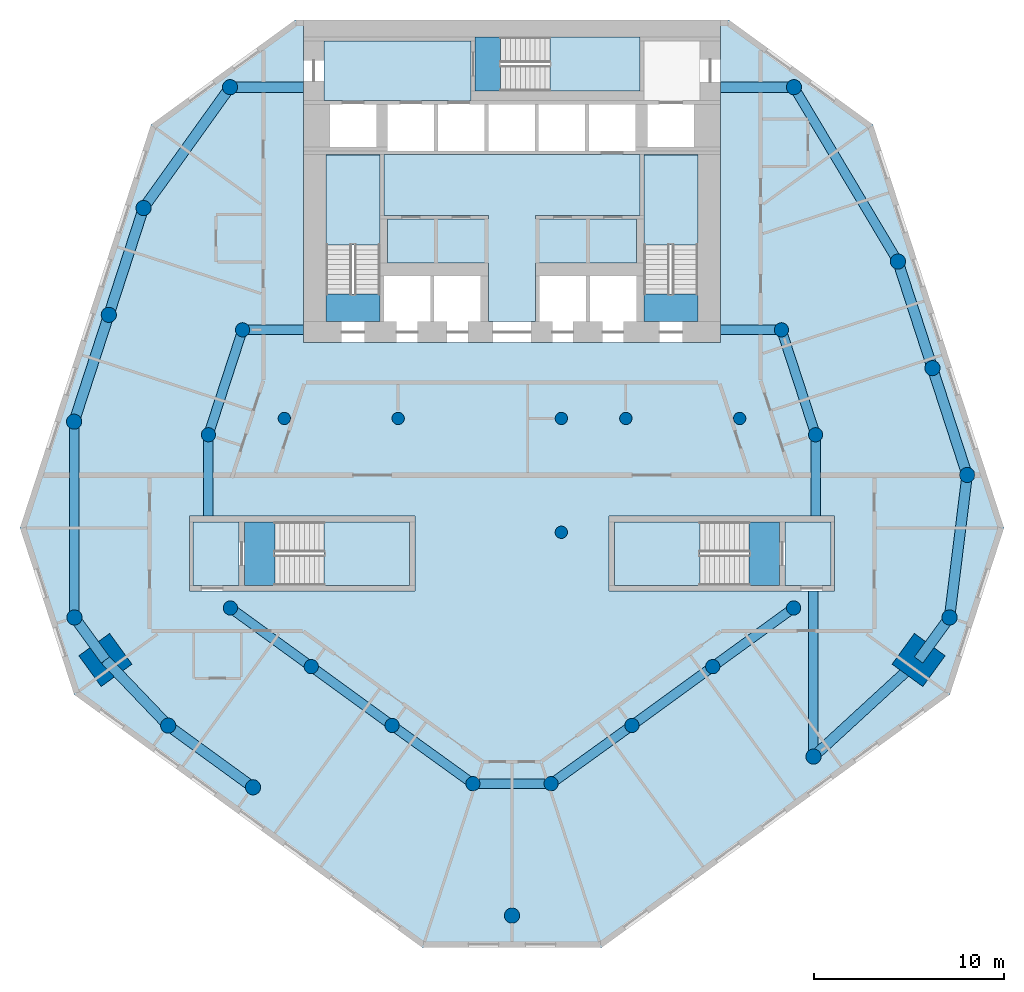
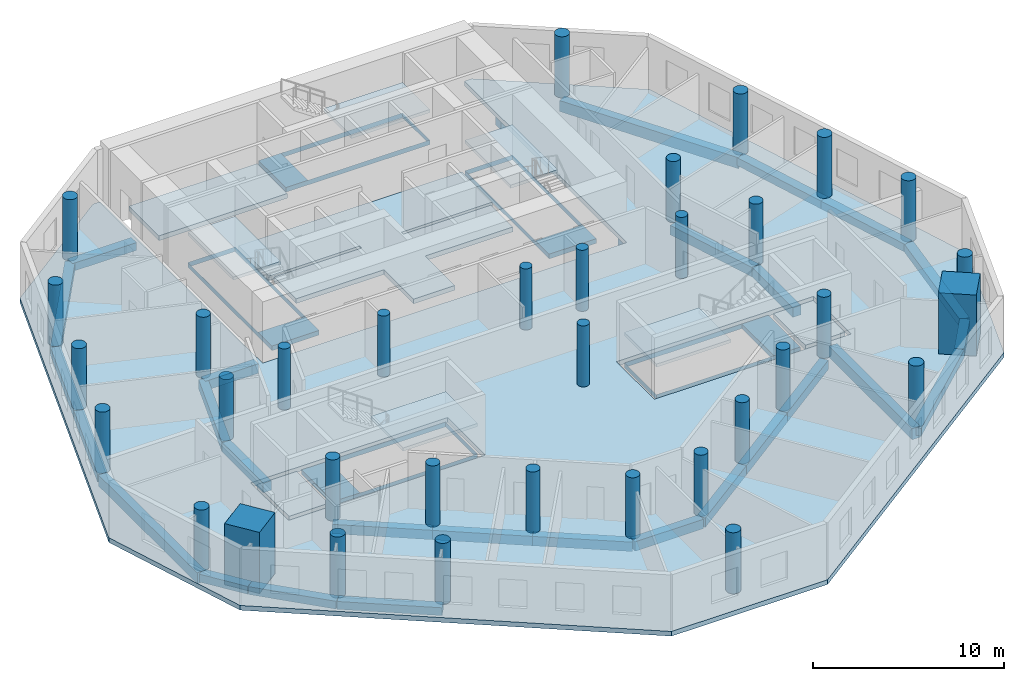
# One storey, part 1 of 9: 34 columns, 29 beams, 15 slabs, 5 elements without a shape of their own.
"""IFC4 building model written with IfcOpenShell, lengths in metres."""

import ifcopenshell
import ifcopenshell.guid

model = None  # the IFC model being written
_history = None  # IfcOwnerHistory: only IFC2X3 demands one
_inside = {}  # id of a spatial element -> (the spatial element, [elements in it])
_under = {}  # id of a project, library or spatial element -> (it, [spatial elements below it])
_declared = {}  # id of a project -> (the project, [libraries it declares])
_typed = {}  # id of a type object -> (the type object, [elements of that type])
_made_of = {}  # id of a material, layer set ... -> (it, [elements and type objects made of it])


def new_model(schema):
    """Start an empty IFC model of exactly this schema.

    Asked for "IFC4X3", IfcOpenShell would pick the latest addendum, in which some entities
    have other attributes; the version numbers below select the first issue.
    IFC2X3 requires an IfcOwnerHistory on every rooted entity: one is made here for all.
    """
    global model, _history
    if schema == "IFC4X3":
        model = ifcopenshell.file(schema_version=(4, 3, 0, 0))
    else:
        model = ifcopenshell.file(schema=schema)
    _inside.clear()
    _under.clear()
    _declared.clear()
    _typed.clear()
    _made_of.clear()
    _history = None
    if model.schema == "IFC2X3":
        org = make("IfcOrganization", Name="unknown")
        user = make(
            "IfcPersonAndOrganization",
            ThePerson=make("IfcPerson", FamilyName="unknown"),
            TheOrganization=org,
        )
        app = make(
            "IfcApplication",
            ApplicationDeveloper=org,
            Version="unknown",
            ApplicationFullName="unknown",
            ApplicationIdentifier="unknown",
        )
        _history = make(
            "IfcOwnerHistory",
            OwningUser=user,
            OwningApplication=app,
            ChangeAction="ADDED",
            CreationDate=0,
        )
    return model


def make(cls, **values):
    """One entity of the class cls with the attributes given. An attribute that is None is left unset."""
    return model.create_entity(
        cls, **{name: value for name, value in values.items() if value is not None}
    )


def rooted(cls, **values):
    """An entity with a GlobalId (a new one), such as an element, a storey or a relation."""
    return make(cls, GlobalId=ifcopenshell.guid.new(), OwnerHistory=_history, **values)


def si_unit(unit_type, name, prefix=None):
    """IfcSIUnit, for example si_unit("LENGTHUNIT", "METRE", prefix="MILLI")."""
    return make("IfcSIUnit", UnitType=unit_type, Prefix=prefix, Name=name)


def assignment(units):
    """IfcUnitAssignment: the units of a project."""
    return None if units is None else make("IfcUnitAssignment", Units=units)


def point(xyz):
    """IfcCartesianPoint."""
    return None if xyz is None else make("IfcCartesianPoint", Coordinates=xyz)


def direction(xyz):
    """IfcDirection."""
    return None if xyz is None else make("IfcDirection", DirectionRatios=xyz)


def frame(location, z_axis=None, x_axis=None):
    """IfcAxis2Placement3D, a coordinate frame: its origin and axes. An axis left out is left unset."""
    return make(
        "IfcAxis2Placement3D",
        Location=point(location),
        Axis=direction(z_axis),
        RefDirection=direction(x_axis),
    )


def frame_2d(location, x_axis=None):
    """IfcAxis2Placement2D, a coordinate frame in the plane: its origin and x axis."""
    return make(
        "IfcAxis2Placement2D", Location=point(location), RefDirection=direction(x_axis)
    )


def origin():
    """The frame at (0, 0, 0) with its axes left unset."""
    return frame((0.0, 0.0, 0.0))


def origin_2d():
    """The frame at (0, 0) in the plane with its x axis left unset."""
    return frame_2d((0.0, 0.0))


def place(relative_to, where):
    """IfcLocalPlacement: puts the frame where relative to a parent placement (None: the world)."""
    return make(
        "IfcLocalPlacement", PlacementRelTo=relative_to, RelativePlacement=where
    )


def context(
    kind, dimensions, precision=None, world=None, true_north=None, identifier=None
):
    """IfcGeometricRepresentationContext, for example the 3D "Model" context."""
    return make(
        "IfcGeometricRepresentationContext",
        ContextIdentifier=identifier,
        ContextType=kind,
        CoordinateSpaceDimension=dimensions,
        Precision=precision,
        WorldCoordinateSystem=world,
        TrueNorth=true_north,
    )


def subcontext(parent, identifier, kind, view, scale=None):
    """IfcGeometricRepresentationSubContext, for example "Body" below "Model"."""
    return make(
        "IfcGeometricRepresentationSubContext",
        ContextIdentifier=identifier,
        ContextType=kind,
        ParentContext=parent,
        TargetScale=scale,
        TargetView=view,
    )


def project(units=None, contexts=None):
    """IfcProject with its units and contexts."""
    return rooted(
        "IfcProject",
        Name="project",
        RepresentationContexts=contexts,
        UnitsInContext=assignment(units),
    )


def spatial(cls, under=None, at=None, **own):
    """A site, building, storey or space (cls), placed at a placement, below another one or the project."""
    s = rooted(cls, ObjectPlacement=at, **own)
    if under is not None:
        _under.setdefault(under.id(), (under, []))[1].append(s)
    return s


def polyline(points):
    """IfcPolyline through the points."""
    return make("IfcPolyline", Points=[point(p) for p in points])


def profile(cls, at=None, kind="AREA", **sizes):
    """A parametric profile (cls). Its sizes go by their IFC names, for example OverallWidth=200.0."""
    return make(cls, ProfileType=kind, Position=at, **sizes)


def rectangle(**sizes):
    """IfcRectangleProfileDef."""
    return profile("IfcRectangleProfileDef", **sizes)


def circle(**sizes):
    """IfcCircleProfileDef."""
    return profile("IfcCircleProfileDef", **sizes)


def outline(outer, holes=None, kind="AREA"):
    """IfcArbitraryClosedProfileDef: a profile drawn as a closed curve; with holes, ...WithVoids."""
    if holes is None:
        return make("IfcArbitraryClosedProfileDef", ProfileType=kind, OuterCurve=outer)
    return make(
        "IfcArbitraryProfileDefWithVoids",
        ProfileType=kind,
        OuterCurve=outer,
        InnerCurves=holes,
    )


def extrude(swept, where, along, depth):
    """IfcExtrudedAreaSolid: the profile swept, set in the frame where, extruded along a direction by depth."""
    return make(
        "IfcExtrudedAreaSolid",
        SweptArea=swept,
        Position=where,
        ExtrudedDirection=direction(along),
        Depth=depth,
    )


def shape(context_of_items, identifier, shape_type, items):
    """IfcShapeRepresentation: the items that make up one representation, for example the "Body"."""
    return make(
        "IfcShapeRepresentation",
        ContextOfItems=context_of_items,
        RepresentationIdentifier=identifier,
        RepresentationType=shape_type,
        Items=items,
    )


def material(Name=None, Category=None):
    """IfcMaterial."""
    return make("IfcMaterial", Name=Name, Category=Category)


def layer(
    of_material, thickness, ventilated=None, Name=None, Category=None, Priority=None
):
    """IfcMaterialLayer: one layer of a wall or slab, of a material (None: an air gap)."""
    return make(
        "IfcMaterialLayer",
        Material=of_material,
        LayerThickness=thickness,
        IsVentilated=ventilated,
        Name=Name,
        Category=Category,
        Priority=Priority,
    )


def layer_set(layers, Name=None):
    """IfcMaterialLayerSet."""
    return make("IfcMaterialLayerSet", MaterialLayers=layers, LayerSetName=Name)


def material_profile(
    of_material, cross_section, Name=None, Category=None, Priority=None
):
    """IfcMaterialProfile: a cross section and its material."""
    return make(
        "IfcMaterialProfile",
        Name=Name,
        Material=of_material,
        Profile=cross_section,
        Priority=Priority,
        Category=Category,
    )


def profile_set(profiles, Name=None, composite=None):
    """IfcMaterialProfileSet."""
    return make(
        "IfcMaterialProfileSet",
        Name=Name,
        MaterialProfiles=profiles,
        CompositeProfile=composite,
    )


def made_of(thing, what):
    """Note that an element or type object is made of a material, layer set ...; save() writes the relation."""
    if what is not None:
        _made_of.setdefault(what.id(), (what, []))[1].append(thing)
    return thing


def type_object(cls, material=None, **own):
    """A type object (cls), such as IfcWallType, which elements share."""
    return made_of(rooted(cls, **own), material)


def element(
    cls,
    number,
    at=None,
    inside=None,
    cuts=None,
    type_object=None,
    material=None,
    context=None,
    identifier="Body",
    shape_type=None,
    held_by="IfcProductDefinitionShape",
    body=None,
    shapes=None,
    **own,
):
    """One element of the class cls, such as IfcWall. Its Tag is "e" and its number.

    at: its placement. inside: the storey or other place that contains it. cuts: it is an
    opening in that element (IfcRelVoidsElement). A single representation is given by context,
    identifier, shape_type and body (its items); several are given by shapes. held_by: the class
    of the entity that holds the representations. save() writes the other relations.
    """
    e = rooted(cls, Tag="e%d" % number, ObjectPlacement=at, **own)
    if body is not None:
        shapes = [shape(context, identifier, shape_type, body)]
    if shapes is not None:
        e.Representation = make(held_by, Representations=shapes)
    if inside is not None:
        _inside.setdefault(inside.id(), (inside, []))[1].append(e)
    if cuts is not None:
        rooted(
            "IfcRelVoidsElement", RelatingBuildingElement=cuts, RelatedOpeningElement=e
        )
    if type_object is not None:
        _typed.setdefault(type_object.id(), (type_object, []))[1].append(e)
    return made_of(e, material)


def aggregate(whole, parts):
    """IfcRelAggregates: a whole, such as a stair, and the parts it consists of."""
    return rooted("IfcRelAggregates", RelatingObject=whole, RelatedObjects=parts)


def save(model, path):
    """Write the relations noted so far, then the file.

    IfcRelAggregates (storeys below a building ...), IfcRelContainedInSpatialStructure (elements
    in a storey), IfcRelDefinesByType, IfcRelAssociatesMaterial and IfcRelDeclares: one each for
    every whole, place, type object, material and project.
    """
    for whole, parts in _under.values():
        aggregate(whole, parts)
    for where, things in _inside.values():
        rooted(
            "IfcRelContainedInSpatialStructure",
            RelatedElements=things,
            RelatingStructure=where,
        )
    for kind, things in _typed.values():
        rooted("IfcRelDefinesByType", RelatedObjects=things, RelatingType=kind)
    for what, things in _made_of.values():
        rooted("IfcRelAssociatesMaterial", RelatedObjects=things, RelatingMaterial=what)
    for by, libraries in _declared.values():
        rooted("IfcRelDeclares", RelatingContext=by, RelatedDefinitions=libraries)
    model.write(path)


model = new_model("IFC4")

# Units and contexts
model_context = context("Model", 3, precision=1e-05, world=origin(), true_north=direction((0.0, 1.0)))
body_context = subcontext(model_context, "Body", "Model", "MODEL_VIEW")
ifc_project = project(units=[si_unit("LENGTHUNIT", "METRE"), si_unit("AREAUNIT", "SQUARE_METRE"), si_unit("VOLUMEUNIT", "CUBIC_METRE"), si_unit("PLANEANGLEUNIT", "RADIAN"), si_unit("MASSUNIT", "GRAM", prefix="KILO")], contexts=[model_context])

# Site, building, storey
site_placement = place(None, origin())
site = spatial("IfcSite", under=ifc_project, at=site_placement, CompositionType="ELEMENT")
building_placement = place(site_placement, origin())
building = spatial("IfcBuilding", under=site, at=building_placement, Name="White Candle Pilgrim Tower", CompositionType="ELEMENT")
storey_placement = place(building_placement, frame((0.0, 0.0, 94.699951171875)))
storey = spatial("IfcBuildingStorey", under=building, at=storey_placement, Name="L20", CompositionType="ELEMENT", Elevation=94.699951171875)

# Columns
ifc_material_1 = material(Name="Concrete C80/95", Category="concrete")
ifc_material_profile_1 = material_profile(ifc_material_1, circle(Radius=0.324951171875, at=origin_2d()), Name="RC-COL D650")
ifc_profile_set_1 = profile_set([ifc_material_profile_1], Name="Concrete C80/95")
column_type_1 = type_object("IfcColumnType", Name="Interior column RC-COL D650 C80/95", PredefinedType="COLUMN", material=ifc_profile_set_1)
for number, where, z_axis, x_axis, name in (
    (1, (58.0, 67.0, 0.0), (0.0, 0.0, 1.0), (1.0, 0.0, 0.0), "L20 column I01"),
    (2, (64.0, 67.0, 0.0), (0.0, 0.0, 1.0), (1.0, 0.0, 0.0), "L20 column I02"),
    (3, (72.60009765625, 61.0, 0.0), (0.0, 0.0, 1.0), (1.0, 0.0, 0.0), "L20 column I03"),
    (4, (72.60009765625, 67.0, 0.0), (0.0, 0.0, 1.0), (1.0, 0.0, 0.0), "L20 column I04"),
    (5, (76.0, 67.0, 0.0), (0.0, 0.0, 1.0), (1.0, 0.0, 0.0), "L20 column I05"),
    (6, (82.0, 67.0, 0.0), (0.0, 0.0, 1.0), (1.0, 0.0, 0.0), "L20 column I06"),
):
    element("IfcColumn", number, at=place(storey_placement, frame(where, z_axis=z_axis, x_axis=x_axis)), inside=storey, type_object=column_type_1, Name=name, PredefinedType="COLUMN", context=body_context, shape_type="SweptSolid", body=[
        extrude(circle(Radius=0.324951171875, at=origin_2d()), origin(), (0.0, 0.0, 1.0), 3.900146484375),
    ])
ifc_material_profile_2 = material_profile(ifc_material_1, rectangle(XDim=2.0, YDim=2.0, at=origin_2d()), Name="RC 2000x2000")
ifc_profile_set_2 = profile_set([ifc_material_profile_2], Name="Concrete C80/95")
column_type_2 = type_object("IfcColumnType", Name="Mega column RC 2000x2000 C80/95", PredefinedType="COLUMN", material=ifc_profile_set_2)
for number, where, z_axis, x_axis, name in (
    (7, (48.570068359375, 54.27001953125, 0.0), (0.0, 0.0, 1.0), (-0.809016994375, -0.587785252292, 0.0), "L20 mega column T02"),
    (8, (91.429931640625, 54.27001953125, 0.0), (0.0, 0.0, 1.0), (0.809016994375, -0.587785252292, 0.0), "L20 mega column T07"),
):
    element("IfcColumn", number, at=place(storey_placement, frame(where, z_axis=z_axis, x_axis=x_axis)), inside=storey, type_object=column_type_2, Name=name, PredefinedType="COLUMN", context=body_context, shape_type="SweptSolid", body=[
        extrude(rectangle(XDim=2.0, YDim=2.0, at=origin_2d()), origin(), (0.0, 0.0, 1.0), 3.900146484375),
    ])
ifc_material_profile_3 = material_profile(ifc_material_1, circle(Radius=0.39990234375, at=origin_2d()), Name="RC-COL D800")
ifc_profile_set_3 = profile_set([ifc_material_profile_3], Name="Concrete C80/95")
column_type_3 = type_object("IfcColumnType", Name="Perimeter column RC-COL D800 C80/95", PredefinedType="COLUMN", material=ifc_profile_set_3)
for number, where, z_axis, x_axis, name in (
    (9, (46.93994140625, 56.510009765625, 0.0), (0.0, 0.0, 1.0), (1.0, 0.0, 0.0), "L20 column T01"),
    (10, (51.8798828125, 50.81005859375, 0.0), (0.0, 0.0, 1.0), (1.0, 0.0, 0.0), "L20 column T03"),
    (11, (56.35009765625, 47.56005859375, 0.0), (0.0, 0.0, 1.0), (1.0, 0.0, 0.0), "L20 column T04"),
    (12, (70.0, 40.800048828125, 0.0), (0.0, 0.0, 1.0), (1.0, 0.0, 0.0), "L20 column T05"),
    (13, (85.889892578125, 49.179931640625, 0.0), (0.0, 0.0, 1.0), (1.0, 0.0, 0.0), "L20 column T06"),
    (14, (93.06005859375, 56.510009765625, 0.0), (0.0, 0.0, 1.0), (1.0, 0.0, 0.0), "L20 column T08"),
    (15, (93.989990234375, 64.02001953125, 0.0), (0.0, 0.0, 1.0), (1.0, 0.0, 0.0), "L20 column T09"),
    (16, (92.159912109375, 69.64990234375, 0.0), (0.0, 0.0, 1.0), (1.0, 0.0, 0.0), "L20 column T10"),
    (17, (90.340087890625, 75.27001953125, 0.0), (0.0, 0.0, 1.0), (1.0, 0.0, 0.0), "L20 column T11"),
    (18, (84.860107421875, 84.4599609375, 0.0), (0.0, 0.0, 1.0), (1.0, 0.0, 0.0), "L20 column T12"),
    (19, (55.139892578125, 84.4599609375, 0.0), (0.0, 0.0, 1.0), (1.0, 0.0, 0.0), "L20 column T13"),
    (20, (50.580078125, 78.090087890625, 0.0), (0.0, 0.0, 1.0), (1.0, 0.0, 0.0), "L20 column T14"),
    (21, (48.75, 72.4599609375, 0.0), (0.0, 0.0, 1.0), (1.0, 0.0, 0.0), "L20 column T15"),
    (22, (46.919921875, 66.830078125, 0.0), (0.0, 0.0, 1.0), (1.0, 0.0, 0.0), "L20 column T16"),
):
    element("IfcColumn", number, at=place(storey_placement, frame(where, z_axis=z_axis, x_axis=x_axis)), inside=storey, type_object=column_type_3, Name=name, PredefinedType="COLUMN", context=body_context, shape_type="SweptSolid", body=[
        extrude(circle(Radius=0.39990234375, at=origin_2d()), origin(), (0.0, 0.0, 1.0), 3.900146484375),
    ])
ifc_material_profile_4 = material_profile(ifc_material_1, circle(Radius=0.375, at=origin_2d()), Name="RC-COL D750")
ifc_profile_set_4 = profile_set([ifc_material_profile_4], Name="Concrete C80/95")
column_type_4 = type_object("IfcColumnType", Name="Ring column RC-COL D750 C80/95", PredefinedType="COLUMN", material=ifc_profile_set_4)
for number, where, z_axis, x_axis, name in (
    (23, (55.159912109375, 57.010009765625, 0.0), (0.0, 0.0, 1.0), (1.0, 0.0, 0.0), "L20 column R01"),
    (24, (59.419921875, 53.919921875, 0.0), (0.0, 0.0, 1.0), (1.0, 0.0, 0.0), "L20 column R02"),
    (25, (63.679931640625, 50.820068359375, 0.0), (0.0, 0.0, 1.0), (1.0, 0.0, 0.0), "L20 column R03"),
    (26, (67.93994140625, 47.75, 0.0), (0.0, 0.0, 1.0), (1.0, 0.0, 0.0), "L20 column R04"),
    (27, (72.06005859375, 47.75, 0.0), (0.0, 0.0, 1.0), (1.0, 0.0, 0.0), "L20 column R05"),
    (28, (76.320068359375, 50.820068359375, 0.0), (0.0, 0.0, 1.0), (1.0, 0.0, 0.0), "L20 column R06"),
    (29, (80.580078125, 53.919921875, 0.0), (0.0, 0.0, 1.0), (1.0, 0.0, 0.0), "L20 column R07"),
    (30, (84.840087890625, 57.010009765625, 0.0), (0.0, 0.0, 1.0), (1.0, 0.0, 0.0), "L20 column R08"),
    (31, (86.0, 66.139892578125, 0.0), (0.0, 0.0, 1.0), (1.0, 0.0, 0.0), "L20 column R09"),
    (32, (84.199951171875, 71.669921875, 0.0), (0.0, 0.0, 1.0), (1.0, 0.0, 0.0), "L20 column R10"),
    (33, (55.800048828125, 71.669921875, 0.0), (0.0, 0.0, 1.0), (1.0, 0.0, 0.0), "L20 column R11"),
    (34, (54.0, 66.139892578125, 0.0), (0.0, 0.0, 1.0), (1.0, 0.0, 0.0), "L20 column R12"),
):
    element("IfcColumn", number, at=place(storey_placement, frame(where, z_axis=z_axis, x_axis=x_axis)), inside=storey, type_object=column_type_4, Name=name, PredefinedType="COLUMN", context=body_context, shape_type="SweptSolid", body=[
        extrude(circle(Radius=0.375, at=origin_2d()), origin(), (0.0, 0.0, 1.0), 3.900146484375),
    ])

# Beams
ifc_material_2 = material(Name="Concrete C50/60", Category="concrete")
ifc_material_profile_5 = material_profile(ifc_material_2, rectangle(XDim=0.5, YDim=0.60009765625, at=origin_2d()), Name="RC-BM 500x600")
ifc_profile_set_5 = profile_set([ifc_material_profile_5], Name="Concrete C50/60")
beam_type_1 = type_object("IfcBeamType", Name="Ring beam RC-BM 500x600 C50/60", PredefinedType="BEAM", material=ifc_profile_set_5)
beam_1_placement = place(storey_placement, frame((55.159912109375, 57.010009765625, -0.599853515625), z_axis=(0.809467675096, -0.587164442873, 0.0), x_axis=(0.587164442873, 0.809467675096, 0.0)))
element("IfcBeam", 35, at=beam_1_placement, inside=storey, type_object=beam_type_1, Name="L20 ring beam R01", PredefinedType="BEAM", context=body_context, shape_type="SweptSolid", body=[
    extrude(rectangle(XDim=0.5, YDim=0.60009765625, at=origin_2d()), origin(), (0.0, 0.0, 1.0), 5.2626953125),
])
beam_2_placement = place(storey_placement, frame((59.419921875, 53.919921875, -0.599853515625), z_axis=(0.808585766175, -0.588378329596, 0.0), x_axis=(0.588378329596, 0.808585766175, 0.0)))
element("IfcBeam", 36, at=beam_2_placement, inside=storey, type_object=beam_type_1, Name="L20 ring beam R02", PredefinedType="BEAM", context=body_context, shape_type="SweptSolid", body=[
    extrude(rectangle(XDim=0.5, YDim=0.60009765625, at=origin_2d()), origin(), (0.0, 0.0, 1.0), 5.2685546875),
])
beam_3_placement = place(storey_placement, frame((63.679931640625, 50.820068359375, -0.599853515625), z_axis=(0.811275874346, -0.584663540598, 0.0), x_axis=(0.584663540598, 0.811275874346, 0.0)))
element("IfcBeam", 37, at=beam_3_placement, inside=storey, type_object=beam_type_1, Name="L20 ring beam R03", PredefinedType="BEAM", context=body_context, shape_type="SweptSolid", body=[
    extrude(rectangle(XDim=0.5, YDim=0.60009765625, at=origin_2d()), origin(), (0.0, 0.0, 1.0), 5.2509765625),
])
beam_4_placement = place(storey_placement, frame((67.93994140625, 47.75, -0.599853515625), z_axis=(1.0, 0.0, 0.0), x_axis=(0.0, 1.0, 0.0)))
element("IfcBeam", 38, at=beam_4_placement, inside=storey, type_object=beam_type_1, Name="L20 ring beam R04", PredefinedType="BEAM", context=body_context, shape_type="SweptSolid", body=[
    extrude(rectangle(XDim=0.5, YDim=0.60009765625, at=origin_2d()), origin(), (0.0, 0.0, 1.0), 4.1201171875),
])
beam_5_placement = place(storey_placement, frame((72.06005859375, 47.75, -0.599853515625), z_axis=(0.811275874346, 0.584663540598, 0.0), x_axis=(-0.584663540598, 0.811275874346, 0.0)))
element("IfcBeam", 39, at=beam_5_placement, inside=storey, type_object=beam_type_1, Name="L20 ring beam R05", PredefinedType="BEAM", context=body_context, shape_type="SweptSolid", body=[
    extrude(rectangle(XDim=0.5, YDim=0.60009765625, at=origin_2d()), origin(), (0.0, 0.0, 1.0), 5.2509765625),
])
beam_6_placement = place(storey_placement, frame((76.320068359375, 50.820068359375, -0.599853515625), z_axis=(0.808585766175, 0.588378329596, 0.0), x_axis=(-0.588378329596, 0.808585766175, 0.0)))
element("IfcBeam", 40, at=beam_6_placement, inside=storey, type_object=beam_type_1, Name="L20 ring beam R06", PredefinedType="BEAM", context=body_context, shape_type="SweptSolid", body=[
    extrude(rectangle(XDim=0.5, YDim=0.60009765625, at=origin_2d()), origin(), (0.0, 0.0, 1.0), 5.2685546875),
])
beam_7_placement = place(storey_placement, frame((80.580078125, 53.919921875, -0.599853515625), z_axis=(0.809467675096, 0.587164442873, 0.0), x_axis=(-0.587164442873, 0.809467675096, 0.0)))
element("IfcBeam", 41, at=beam_7_placement, inside=storey, type_object=beam_type_1, Name="L20 ring beam R07", PredefinedType="BEAM", context=body_context, shape_type="SweptSolid", body=[
    extrude(rectangle(XDim=0.5, YDim=0.60009765625, at=origin_2d()), origin(), (0.0, 0.0, 1.0), 5.2626953125),
])
beam_8_placement = place(storey_placement, frame((86.0, 66.139892578125, -0.599853515625), z_axis=(0.0, -1.0, 0.0), x_axis=(1.0, 0.0, 0.0)))
element("IfcBeam", 42, at=beam_8_placement, inside=storey, type_object=beam_type_1, Name="L20 ring beam R08", PredefinedType="BEAM", context=body_context, shape_type="SweptSolid", body=[
    extrude(rectangle(XDim=0.5, YDim=0.60009765625, at=origin_2d()), origin(), (0.0, 0.0, 1.0), 4.289794921875),
])
beam_9_placement = place(storey_placement, frame((86.0, 66.139892578125, -0.599853515625), z_axis=(-0.309519843253, 0.950892983796, 0.0), x_axis=(-0.950892983796, -0.309519843253, 0.0)))
element("IfcBeam", 43, at=beam_9_placement, inside=storey, type_object=beam_type_1, Name="L20 ring beam R09", PredefinedType="BEAM", context=body_context, shape_type="SweptSolid", body=[
    extrude(rectangle(XDim=0.5, YDim=0.60009765625, at=origin_2d()), origin(), (0.0, 0.0, 1.0), 5.815673828125),
])
for number, where, z_axis, x_axis, name in (
    (44, (84.199951171875, 71.669921875, -0.599853515625), (-1.0, 0.0, 0.0), (0.0, -1.0, 0.0), "L20 ring beam R10"),
    (45, (55.800048828125, 71.669921875, -0.599853515625), (1.0, 0.0, 0.0), (0.0, 1.0, 0.0), "L20 ring beam R11"),
):
    element("IfcBeam", number, at=place(storey_placement, frame(where, z_axis=z_axis, x_axis=x_axis)), inside=storey, type_object=beam_type_1, Name=name, PredefinedType="BEAM", context=body_context, shape_type="SweptSolid", body=[
        extrude(rectangle(XDim=0.5, YDim=0.60009765625, at=origin_2d()), origin(), (0.0, 0.0, 1.0), 3.199951171875),
    ])
beam_10_placement = place(storey_placement, frame((55.800048828125, 71.669921875, -0.599853515625), z_axis=(-0.309519843253, -0.950892983796, 0.0), x_axis=(0.950892983796, -0.309519843253, 0.0)))
element("IfcBeam", 46, at=beam_10_placement, inside=storey, type_object=beam_type_1, Name="L20 ring beam R12", PredefinedType="BEAM", context=body_context, shape_type="SweptSolid", body=[
    extrude(rectangle(XDim=0.5, YDim=0.60009765625, at=origin_2d()), origin(), (0.0, 0.0, 1.0), 5.815673828125),
])
beam_11_placement = place(storey_placement, frame((54.0, 66.139892578125, -0.599853515625), z_axis=(0.0, -1.0, 0.0), x_axis=(1.0, 0.0, 0.0)))
element("IfcBeam", 47, at=beam_11_placement, inside=storey, type_object=beam_type_1, Name="L20 ring beam R13", PredefinedType="BEAM", context=body_context, shape_type="SweptSolid", body=[
    extrude(rectangle(XDim=0.5, YDim=0.60009765625, at=origin_2d()), origin(), (0.0, 0.0, 1.0), 4.289794921875),
])
ifc_material_profile_6 = material_profile(ifc_material_2, rectangle(XDim=0.5, YDim=0.699951171875, at=origin_2d()), Name="RC-BM 500x700")
ifc_profile_set_6 = profile_set([ifc_material_profile_6], Name="Concrete C50/60")
beam_type_2 = type_object("IfcBeamType", Name="Spandrel beam RC-BM 500x700 C50/60", PredefinedType="BEAM", material=ifc_profile_set_6)
beam_12_placement = place(storey_placement, frame((85.889892578125, 49.179931640625, -0.64990234375), z_axis=(0.0, 1.0, 0.0), x_axis=(-1.0, 0.0, 0.0)))
element("IfcBeam", 48, at=beam_12_placement, inside=storey, type_object=beam_type_2, Name="L20 spandrel beam T04", PredefinedType="BEAM", context=body_context, shape_type="SweptSolid", body=[
    extrude(rectangle(XDim=0.5, YDim=0.699951171875, at=origin_2d()), origin(), (0.0, 0.0, 1.0), 8.719970703125),
])
beam_13_placement = place(storey_placement, frame((90.340087890625, 75.27001953125, -0.64990234375), z_axis=(-0.512158423504, 0.858890999623, 0.0), x_axis=(-0.858890999623, -0.512158423504, 0.0)))
element("IfcBeam", 49, at=beam_13_placement, inside=storey, type_object=beam_type_2, Name="L20 spandrel beam T10", PredefinedType="BEAM", context=body_context, shape_type="SweptSolid", body=[
    extrude(rectangle(XDim=0.5, YDim=0.699951171875, at=origin_2d()), origin(), (0.0, 0.0, 1.0), 10.69970703125),
])
beam_14_placement = place(storey_placement, frame((46.919921875, 66.830078125, -0.64990234375), z_axis=(0.00193986056, -0.999998118469, 0.0), x_axis=(0.999998118469, 0.00193986056, 0.0)))
element("IfcBeam", 50, at=beam_14_placement, inside=storey, type_object=beam_type_2, Name="L20 spandrel beam T16", PredefinedType="BEAM", context=body_context, shape_type="SweptSolid", body=[
    extrude(rectangle(XDim=0.5, YDim=0.699951171875, at=origin_2d()), origin(), (0.0, 0.0, 1.0), 10.320068359375),
])
ifc_material_profile_7 = material_profile(ifc_material_2, rectangle(XDim=0.550048828125, YDim=0.5, at=origin_2d()), Name="RC-BM 550x500")
ifc_profile_set_7 = profile_set([ifc_material_profile_7], Name="Concrete C50/60")
beam_type_3 = type_object("IfcBeamType", Name="Spandrel beam RC-BM 550x500 C50/60", PredefinedType="BEAM", material=ifc_profile_set_7)
beam_15_placement = place(storey_placement, frame((46.93994140625, 56.510009765625, -0.550048828125), z_axis=(0.588417947117, -0.808556936468, 0.0), x_axis=(0.808556936468, 0.588417947117, 0.0)))
element("IfcBeam", 51, at=beam_15_placement, inside=storey, type_object=beam_type_3, Name="L20 spandrel beam T01", PredefinedType="BEAM", context=body_context, shape_type="SweptSolid", body=[
    extrude(rectangle(XDim=0.550048828125, YDim=0.5, at=origin_2d()), origin(), (0.0, 0.0, 1.0), 2.770263671875),
])
beam_16_placement = place(storey_placement, frame((48.570068359375, 54.27001953125, -0.550048828125), z_axis=(0.691253902959, -0.722611957862, 0.0), x_axis=(0.722611957862, 0.691253902959, 0.0)))
element("IfcBeam", 52, at=beam_16_placement, inside=storey, type_object=beam_type_3, Name="L20 spandrel beam T02", PredefinedType="BEAM", context=body_context, shape_type="SweptSolid", body=[
    extrude(rectangle(XDim=0.550048828125, YDim=0.5, at=origin_2d()), origin(), (0.0, 0.0, 1.0), 4.7880859375),
])
beam_17_placement = place(storey_placement, frame((51.8798828125, 50.81005859375, -0.550048828125), z_axis=(0.80882776558, -0.58804561526, 0.0), x_axis=(0.58804561526, 0.80882776558, 0.0)))
element("IfcBeam", 53, at=beam_17_placement, inside=storey, type_object=beam_type_3, Name="L20 spandrel beam T03", PredefinedType="BEAM", context=body_context, shape_type="SweptSolid", body=[
    extrude(rectangle(XDim=0.550048828125, YDim=0.5, at=origin_2d()), origin(), (0.0, 0.0, 1.0), 5.52685546875),
])
beam_18_placement = place(storey_placement, frame((85.889892578125, 49.179931640625, -0.550048828125), z_axis=(0.736377769558, 0.676570602746, 0.0), x_axis=(-0.676570602746, 0.736377769558, 0.0)))
element("IfcBeam", 54, at=beam_18_placement, inside=storey, type_object=beam_type_3, Name="L20 spandrel beam T05", PredefinedType="BEAM", context=body_context, shape_type="SweptSolid", body=[
    extrude(rectangle(XDim=0.550048828125, YDim=0.5, at=origin_2d()), origin(), (0.0, 0.0, 1.0), 7.5234375),
])
beam_19_placement = place(storey_placement, frame((91.429931640625, 54.27001953125, -0.550048828125), z_axis=(0.588417947117, 0.808556936468, 0.0), x_axis=(-0.808556936468, 0.588417947117, 0.0)))
element("IfcBeam", 55, at=beam_19_placement, inside=storey, type_object=beam_type_3, Name="L20 spandrel beam T06", PredefinedType="BEAM", context=body_context, shape_type="SweptSolid", body=[
    extrude(rectangle(XDim=0.550048828125, YDim=0.5, at=origin_2d()), origin(), (0.0, 0.0, 1.0), 2.770263671875),
])
beam_20_placement = place(storey_placement, frame((93.06005859375, 56.510009765625, -0.550048828125), z_axis=(0.122887106398, 0.992420656315, 0.0), x_axis=(-0.992420656315, 0.122887106398, 0.0)))
element("IfcBeam", 56, at=beam_20_placement, inside=storey, type_object=beam_type_3, Name="L20 spandrel beam T07", PredefinedType="BEAM", context=body_context, shape_type="SweptSolid", body=[
    extrude(rectangle(XDim=0.550048828125, YDim=0.5, at=origin_2d()), origin(), (0.0, 0.0, 1.0), 7.5673828125),
])
beam_21_placement = place(storey_placement, frame((93.989990234375, 64.02001953125, -0.550048828125), z_axis=(-0.309142023321, 0.951015882842, 0.0), x_axis=(-0.951015882842, -0.309142023321, 0.0)))
element("IfcBeam", 57, at=beam_21_placement, inside=storey, type_object=beam_type_3, Name="L20 spandrel beam T08", PredefinedType="BEAM", context=body_context, shape_type="SweptSolid", body=[
    extrude(rectangle(XDim=0.550048828125, YDim=0.5, at=origin_2d()), origin(), (0.0, 0.0, 1.0), 5.919921875),
])
beam_22_placement = place(storey_placement, frame((92.159912109375, 69.64990234375, -0.550048828125), z_axis=(-0.308057951523, 0.951367593784, 0.0), x_axis=(-0.951367593784, -0.308057951523, 0.0)))
element("IfcBeam", 58, at=beam_22_placement, inside=storey, type_object=beam_type_3, Name="L20 spandrel beam T09", PredefinedType="BEAM", context=body_context, shape_type="SweptSolid", body=[
    extrude(rectangle(XDim=0.550048828125, YDim=0.5, at=origin_2d()), origin(), (0.0, 0.0, 1.0), 5.907470703125),
])
for number, where, z_axis, x_axis, name in (
    (59, (84.860107421875, 84.4599609375, -0.550048828125), (-1.0, 0.0, 0.0), (0.0, -1.0, 0.0), "L20 spandrel beam T11"),
    (60, (55.139892578125, 84.4599609375, -0.550048828125), (1.0, 0.0, 0.0), (0.0, 1.0, 0.0), "L20 spandrel beam T12"),
):
    element("IfcBeam", number, at=place(storey_placement, frame(where, z_axis=z_axis, x_axis=x_axis)), inside=storey, type_object=beam_type_3, Name=name, PredefinedType="BEAM", context=body_context, shape_type="SweptSolid", body=[
        extrude(rectangle(XDim=0.550048828125, YDim=0.5, at=origin_2d()), origin(), (0.0, 0.0, 1.0), 3.860107421875),
    ])
beam_23_placement = place(storey_placement, frame((55.139892578125, 84.4599609375, -0.550048828125), z_axis=(-0.582075138826, -0.813135002789, 0.0), x_axis=(0.813135002789, -0.582075138826, 0.0)))
element("IfcBeam", 61, at=beam_23_placement, inside=storey, type_object=beam_type_3, Name="L20 spandrel beam T13", PredefinedType="BEAM", context=body_context, shape_type="SweptSolid", body=[
    extrude(rectangle(XDim=0.550048828125, YDim=0.5, at=origin_2d()), origin(), (0.0, 0.0, 1.0), 7.833740234375),
])
beam_24_placement = place(storey_placement, frame((50.580078125, 78.090087890625, -0.550048828125), z_axis=(-0.30912989898, -0.951019823956, 0.0), x_axis=(0.951019823956, -0.30912989898, 0.0)))
element("IfcBeam", 62, at=beam_24_placement, inside=storey, type_object=beam_type_3, Name="L20 spandrel beam T14", PredefinedType="BEAM", context=body_context, shape_type="SweptSolid", body=[
    extrude(rectangle(XDim=0.550048828125, YDim=0.5, at=origin_2d()), origin(), (0.0, 0.0, 1.0), 5.920166015625),
])
beam_25_placement = place(storey_placement, frame((48.75, 72.4599609375, -0.550048828125), z_axis=(-0.309142023321, -0.951015882842, 0.0), x_axis=(0.951015882842, -0.309142023321, 0.0)))
element("IfcBeam", 63, at=beam_25_placement, inside=storey, type_object=beam_type_3, Name="L20 spandrel beam T15", PredefinedType="BEAM", context=body_context, shape_type="SweptSolid", body=[
    extrude(rectangle(XDim=0.550048828125, YDim=0.5, at=origin_2d()), origin(), (0.0, 0.0, 1.0), 5.919921875),
])

# Slabs
ifc_material_3 = material(Name="Concrete C40/50", Category="concrete")
ifc_layer_1 = layer(ifc_material_3, 0.300048828125)
ifc_layer_set_1 = layer_set([ifc_layer_1], Name="Core floor slab 300 mm Concrete C40/50")
slab_type_1 = type_object("IfcSlabType", Name="Core floor slab 300 mm Concrete C40/50", PredefinedType="FLOOR", material=ifc_layer_set_1)
slab_1_placement = place(storey_placement, frame((0.0, 0.0, -0.300048828125)))
element("IfcSlab", 64, at=slab_1_placement, inside=storey, type_object=slab_type_1, Name="CF-L20-01", PredefinedType="FLOOR", context=body_context, shape_type="SweptSolid", body=[
    extrude(outline(polyline([(55.60009765625, 58.199951171875), (53.199951171875, 58.199951171875), (53.199951171875, 61.550048828125), (55.60009765625, 61.550048828125), (55.60009765625, 58.199951171875)])), origin(), (0.0, 0.0, 1.0), 0.300048828125),
])
slab_2_placement = place(storey_placement, frame((0.0, 0.0, -0.300048828125)))
element("IfcSlab", 65, at=slab_2_placement, inside=storey, type_object=slab_type_1, Name="CF-L20-02", PredefinedType="FLOOR", context=body_context, shape_type="SweptSolid", body=[
    extrude(outline(polyline([(55.89990234375, 58.199951171875), (55.89990234375, 61.550048828125), (64.60009765625, 61.550048828125), (64.60009765625, 58.199951171875), (55.89990234375, 58.199951171875)]), holes=[polyline([(57.501953125, 61.548095703125), (57.501953125, 58.201904296875), (64.597900390625, 58.201904296875), (64.597900390625, 61.548095703125), (57.501953125, 61.548095703125)])]), origin(), (0.0, 0.0, 1.0), 0.300048828125),
])
slab_3_placement = place(storey_placement, frame((0.0, 0.0, -0.300048828125)))
element("IfcSlab", 66, at=slab_3_placement, inside=storey, type_object=slab_type_1, Name="CF-L20-03", PredefinedType="FLOOR", context=body_context, shape_type="SweptSolid", body=[
    extrude(outline(polyline([(75.39990234375, 58.199951171875), (75.39990234375, 61.550048828125), (84.10009765625, 61.550048828125), (84.10009765625, 58.199951171875), (75.39990234375, 58.199951171875)]), holes=[polyline([(82.498046875, 58.201904296875), (82.498046875, 61.548095703125), (75.402099609375, 61.548095703125), (75.402099609375, 58.201904296875), (82.498046875, 58.201904296875)])]), origin(), (0.0, 0.0, 1.0), 0.300048828125),
])
slab_4_placement = place(storey_placement, frame((0.0, 0.0, -0.300048828125)))
element("IfcSlab", 67, at=slab_4_placement, inside=storey, type_object=slab_type_1, Name="CF-L20-04", PredefinedType="FLOOR", context=body_context, shape_type="SweptSolid", body=[
    extrude(outline(polyline([(86.800048828125, 58.199951171875), (84.39990234375, 58.199951171875), (84.39990234375, 61.550048828125), (86.800048828125, 61.550048828125), (86.800048828125, 58.199951171875)])), origin(), (0.0, 0.0, 1.0), 0.300048828125),
])
slab_5_placement = place(storey_placement, frame((0.0, 0.0, -0.300048828125)))
element("IfcSlab", 68, at=slab_5_placement, inside=storey, type_object=slab_type_1, Name="CF-L20-05", PredefinedType="FLOOR", context=body_context, shape_type="SweptSolid", body=[
    extrude(outline(polyline([(76.75, 87.10009765625), (76.75, 86.89990234375), (76.75, 84.25), (68.050048828125, 84.25), (68.050048828125, 86.89990234375), (68.050048828125, 87.10009765625), (76.75, 87.10009765625)]), holes=[polyline([(69.402099609375, 87.097900390625), (69.402099609375, 84.251953125), (76.748046875, 84.251953125), (76.748046875, 87.097900390625), (69.402099609375, 87.097900390625)])]), origin(), (0.0, 0.0, 1.0), 0.300048828125),
])
slab_6_placement = place(storey_placement, frame((0.0, 0.0, -0.300048828125)))
element("IfcSlab", 69, at=slab_6_placement, inside=storey, type_object=slab_type_1, Name="CF-L20-07", PredefinedType="FLOOR", context=body_context, shape_type="SweptSolid", body=[
    extrude(outline(polyline([(76.949951171875, 72.10009765625), (76.949951171875, 74.5), (76.949951171875, 75.199951171875), (76.949951171875, 77.5), (76.949951171875, 77.699951171875), (76.949951171875, 80.89990234375), (79.800048828125, 80.89990234375), (79.800048828125, 72.10009765625), (76.949951171875, 72.10009765625)]), holes=[polyline([(76.951904296875, 73.552001953125), (79.798095703125, 73.552001953125), (79.798095703125, 80.89794921875), (76.951904296875, 80.89794921875), (76.951904296875, 73.552001953125)])]), origin(), (0.0, 0.0, 1.0), 0.300048828125),
])
slab_7_placement = place(storey_placement, frame((0.0, 0.0, -0.300048828125)))
element("IfcSlab", 70, at=slab_7_placement, inside=storey, type_object=slab_type_1, Name="CF-L20-08", PredefinedType="FLOOR", context=body_context, shape_type="SweptSolid", body=[
    extrude(outline(polyline([(68.75, 72.10009765625), (68.75, 74.5), (68.75, 75.199951171875), (63.449951171875, 75.199951171875), (63.449951171875, 77.5), (68.75, 77.5), (68.75, 77.699951171875), (63.25, 77.699951171875), (63.25, 80.89990234375), (76.75, 80.89990234375), (76.75, 77.699951171875), (71.25, 77.699951171875), (71.25, 77.5), (76.550048828125, 77.5), (76.550048828125, 75.199951171875), (71.25, 75.199951171875), (71.25, 74.5), (71.25, 72.10009765625), (68.75, 72.10009765625)])), origin(), (0.0, 0.0, 1.0), 0.300048828125),
])
slab_8_placement = place(storey_placement, frame((0.0, 0.0, -0.300048828125)))
element("IfcSlab", 71, at=slab_8_placement, inside=storey, type_object=slab_type_1, Name="CF-L20-09", PredefinedType="FLOOR", context=body_context, shape_type="SweptSolid", body=[
    extrude(outline(polyline([(60.199951171875, 72.10009765625), (60.199951171875, 80.89990234375), (63.050048828125, 80.89990234375), (63.050048828125, 77.699951171875), (63.050048828125, 77.5), (63.050048828125, 75.199951171875), (63.050048828125, 74.5), (63.050048828125, 72.10009765625), (60.199951171875, 72.10009765625)]), holes=[polyline([(60.201904296875, 73.552001953125), (63.048095703125, 73.552001953125), (63.048095703125, 80.89794921875), (60.201904296875, 80.89794921875), (60.201904296875, 73.552001953125)])]), origin(), (0.0, 0.0, 1.0), 0.300048828125),
])
slab_9_placement = place(storey_placement, frame((0.0, 0.0, -0.300048828125)))
element("IfcSlab", 72, at=slab_9_placement, inside=storey, type_object=slab_type_1, Name="CF-L20-10", PredefinedType="FLOOR", context=body_context, shape_type="SweptSolid", body=[
    extrude(outline(polyline([(60.10009765625, 86.89990234375), (67.85009765625, 86.89990234375), (67.85009765625, 84.25), (67.85009765625, 83.75), (60.10009765625, 83.75), (60.10009765625, 86.89990234375)])), origin(), (0.0, 0.0, 1.0), 0.300048828125),
])
ifc_layer_2 = layer(ifc_material_3, 0.300048828125)
ifc_layer_set_2 = layer_set([ifc_layer_2], Name="Floor slab 300 REI 240")
slab_type_2 = type_object("IfcSlabType", Name="Floor slab 300 REI 240", PredefinedType="FLOOR", material=ifc_layer_set_2)
slab_10_placement = place(storey_placement, frame((0.0, 0.0, -0.300048828125)))
element("IfcSlab", 73, at=slab_10_placement, inside=storey, type_object=slab_type_2, Name="L20 floor slab", PredefinedType="FLOOR", context=body_context, shape_type="SweptSolid", body=[
    extrude(outline(polyline([(65.285400390625, 39.104248046875), (74.714599609375, 39.104248046875), (93.075927734375, 52.444580078125), (95.9306640625, 61.230712890625), (89.023681640625, 82.48779296875), (81.43701171875, 88.0), (81.0, 88.0), (81.0, 71.0), (59.0, 71.0), (59.0, 88.0), (58.56298828125, 88.0), (50.976318359375, 82.48779296875), (44.0693359375, 61.230712890625), (46.924072265625, 52.444580078125), (65.285400390625, 39.104248046875)]), holes=[polyline([(53.0, 57.89990234375), (53.0, 61.85009765625), (64.89990234375, 61.85009765625), (64.89990234375, 57.89990234375), (53.0, 57.89990234375)]), polyline([(75.10009765625, 57.89990234375), (75.10009765625, 61.85009765625), (87.0, 61.85009765625), (87.0, 57.89990234375), (75.10009765625, 57.89990234375)])]), origin(), (0.0, 0.0, 1.0), 0.300048828125),
])

# Stair, slab
stair_type_1 = type_object("IfcStairType", Name="Exit stair 1 flight width 1350 mm", PredefinedType="HALF_TURN_STAIR", material=ifc_material_3)
stair_1_placement = place(storey_placement, origin())
stair_1 = element("IfcStair", 74, at=stair_1_placement, inside=storey, type_object=stair_type_1, Name="L20 stair 1", PredefinedType="NOTDEFINED")
ifc_layer_3 = layer(ifc_material_3, 0.199951171875)
ifc_layer_set_3 = layer_set([ifc_layer_3], Name="Stair landing Concrete C40/50")
slab_type_3 = type_object("IfcSlabType", Name="Stair landing Concrete C40/50", PredefinedType="LANDING", material=ifc_layer_set_3)
slab_11_placement = place(storey_placement, frame((0.0, 0.0, 1.75)))
slab_11 = element("IfcSlab", 75, at=slab_11_placement, type_object=slab_type_3, Name="ST1 landing 1", PredefinedType="LANDING", context=body_context, shape_type="SweptSolid", body=[
    extrude(outline(polyline([(63.052001953125, 76.14794921875), (60.197998046875, 76.14794921875), (60.197998046875, 80.902099609375), (63.052001953125, 80.902099609375), (63.052001953125, 76.14794921875)])), origin(), (0.0, 0.0, 1.0), 0.199951171875),
])
aggregate(stair_1, [slab_11])

stair_type_2 = type_object("IfcStairType", Name="Exit stair 2 flight width 1350 mm", PredefinedType="HALF_TURN_STAIR", material=ifc_material_3)
stair_2_placement = place(storey_placement, origin())
stair_2 = element("IfcStair", 76, at=stair_2_placement, inside=storey, type_object=stair_type_2, Name="L20 stair 2", PredefinedType="NOTDEFINED")
slab_12_placement = place(storey_placement, frame((0.0, 0.0, 1.75)))
slab_12 = element("IfcSlab", 77, at=slab_12_placement, type_object=slab_type_3, Name="ST2 landing 1", PredefinedType="LANDING", context=body_context, shape_type="SweptSolid", body=[
    extrude(outline(polyline([(79.802001953125, 76.14794921875), (76.947998046875, 76.14794921875), (76.947998046875, 80.902099609375), (79.802001953125, 80.902099609375), (79.802001953125, 76.14794921875)])), origin(), (0.0, 0.0, 1.0), 0.199951171875),
])
aggregate(stair_2, [slab_12])

stair_type_3 = type_object("IfcStairType", Name="Exit stair 3 flight width 1350 mm", PredefinedType="HALF_TURN_STAIR", material=ifc_material_3)
stair_3_placement = place(storey_placement, origin())
stair_3 = element("IfcStair", 78, at=stair_3_placement, inside=storey, type_object=stair_type_3, Name="L20 stair 3", PredefinedType="NOTDEFINED")
slab_13_placement = place(storey_placement, frame((0.0, 0.0, 1.75)))
slab_13 = element("IfcSlab", 79, at=slab_13_placement, type_object=slab_type_3, Name="ST3 landing 1", PredefinedType="LANDING", context=body_context, shape_type="SweptSolid", body=[
    extrude(outline(polyline([(71.998046875, 84.248046875), (71.998046875, 87.10205078125), (76.751953125, 87.10205078125), (76.751953125, 84.248046875), (71.998046875, 84.248046875)])), origin(), (0.0, 0.0, 1.0), 0.199951171875),
])
aggregate(stair_3, [slab_13])

stair_type_4 = type_object("IfcStairType", Name="Exit stair 4 flight width 1600 mm", PredefinedType="HALF_TURN_STAIR", material=ifc_material_3)
stair_4_placement = place(storey_placement, origin())
stair_4 = element("IfcStair", 80, at=stair_4_placement, inside=storey, type_object=stair_type_4, Name="L20 stair 4", PredefinedType="NOTDEFINED")
slab_14_placement = place(storey_placement, frame((0.0, 0.0, 1.75)))
slab_14 = element("IfcSlab", 81, at=slab_14_placement, type_object=slab_type_3, Name="ST4 landing 1", PredefinedType="LANDING", context=body_context, shape_type="SweptSolid", body=[
    extrude(outline(polyline([(79.902099609375, 61.552001953125), (79.902099609375, 58.197998046875), (75.39794921875, 58.197998046875), (75.39794921875, 61.552001953125), (79.902099609375, 61.552001953125)])), origin(), (0.0, 0.0, 1.0), 0.199951171875),
])
aggregate(stair_4, [slab_14])

stair_type_5 = type_object("IfcStairType", Name="Exit stair 5 flight width 1600 mm", PredefinedType="HALF_TURN_STAIR", material=ifc_material_3)
stair_5_placement = place(storey_placement, origin())
stair_5 = element("IfcStair", 82, at=stair_5_placement, inside=storey, type_object=stair_type_5, Name="L20 stair 5", PredefinedType="NOTDEFINED")
slab_15_placement = place(storey_placement, frame((0.0, 0.0, 1.75)))
slab_15 = element("IfcSlab", 83, at=slab_15_placement, type_object=slab_type_3, Name="ST5 landing 1", PredefinedType="LANDING", context=body_context, shape_type="SweptSolid", body=[
    extrude(outline(polyline([(60.097900390625, 58.197998046875), (60.097900390625, 61.552001953125), (64.60205078125, 61.552001953125), (64.60205078125, 58.197998046875), (60.097900390625, 58.197998046875)])), origin(), (0.0, 0.0, 1.0), 0.199951171875),
])
aggregate(stair_5, [slab_15])

save(model, "model.ifc")
